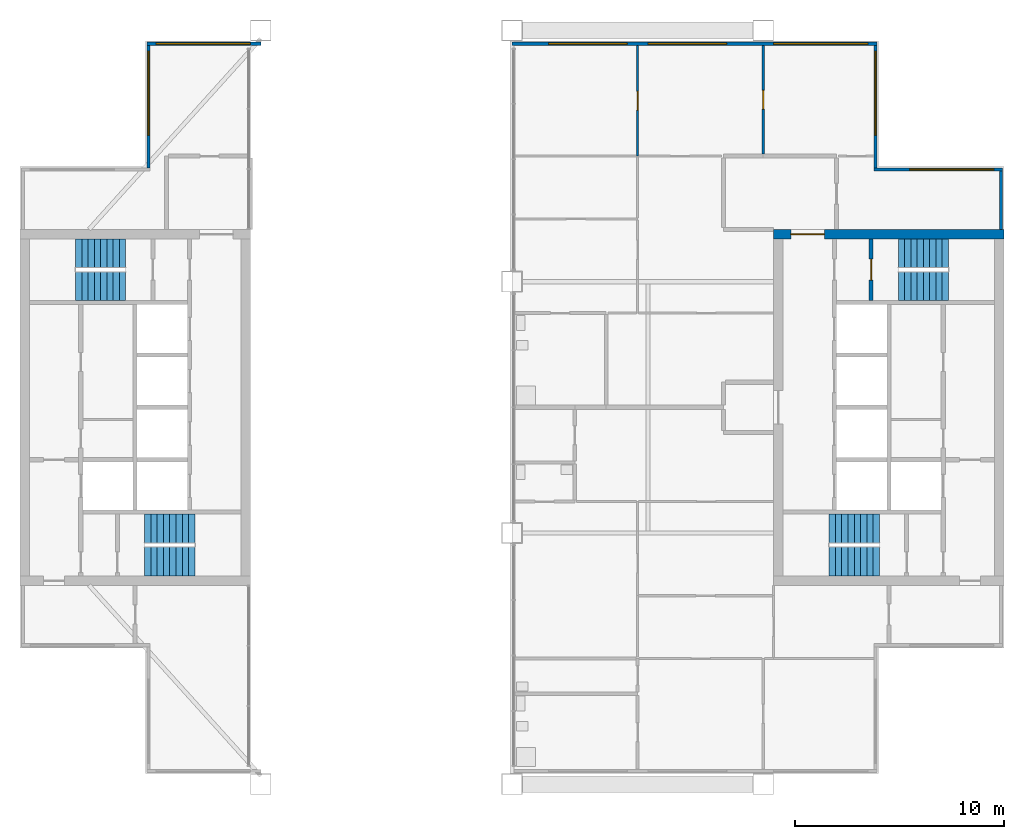
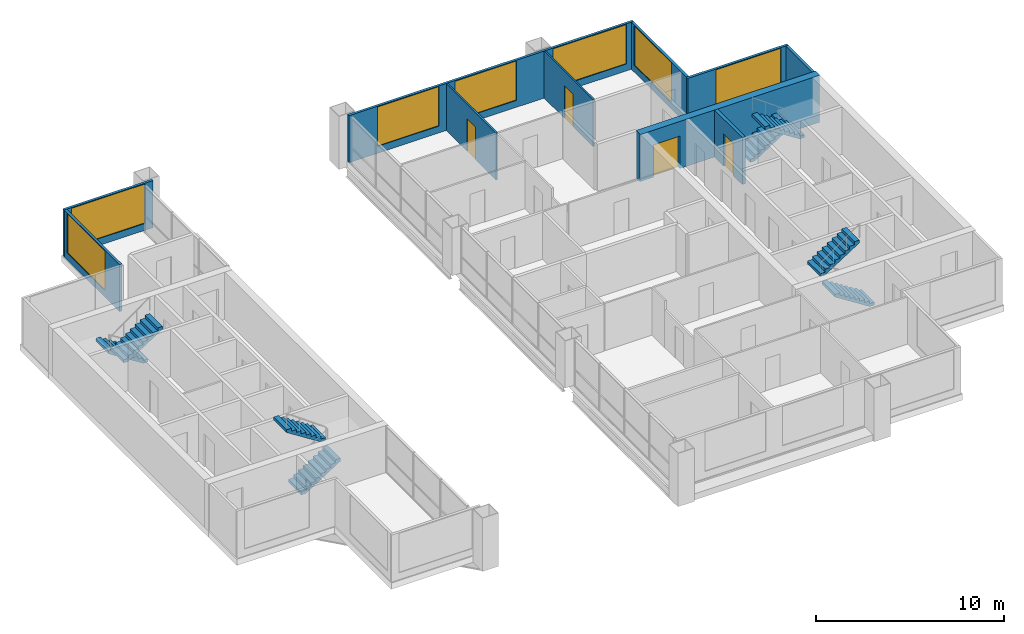
# One storey, part 10 of 12: 10 walls, 8 stair flights, 7 windows, 4 doors, 11 openings, 4 elements without a shape of their own.
"""IFC4 building model written with IfcOpenShell, lengths in metres."""

from ifc_helpers import new_model, si_unit, direction, frame, frame_2d, origin, place, context, subcontext, project, spatial, polyline, rectangle, outline, extrude, material, layer, layer_set, type_object, element, fill, aggregate, save


model = new_model("IFC4")

# Units and contexts
model_context = context("Model", 3, precision=1e-05, world=origin(), true_north=direction((0.0, 1.0)))
body_context = subcontext(model_context, "Body", "Model", "MODEL_VIEW")
ifc_project = project(units=[si_unit("LENGTHUNIT", "METRE"), si_unit("AREAUNIT", "SQUARE_METRE"), si_unit("VOLUMEUNIT", "CUBIC_METRE"), si_unit("PLANEANGLEUNIT", "RADIAN"), si_unit("MASSUNIT", "GRAM", prefix="KILO")], contexts=[model_context])

# Site, building, storey
site_placement = place(None, origin())
site = spatial("IfcSite", under=ifc_project, at=site_placement, CompositionType="ELEMENT")
building_placement = place(site_placement, origin())
building = spatial("IfcBuilding", under=site, at=building_placement, Name="Kitamizu Gate Tower and Museum", CompositionType="ELEMENT")
storey_placement = place(building_placement, frame((0.0, 0.0, 255.89990234375)))
storey = spatial("IfcBuildingStorey", under=building, at=storey_placement, Name="L69", CompositionType="ELEMENT", Elevation=255.89990234375)

# Wall, opening, door
ifc_material_1 = material(Name="Concrete Fc42", Category="concrete")
ifc_layer_1 = layer(ifc_material_1, 0.449951171875)
ifc_layer_set_1 = layer_set([ifc_layer_1], Name="Concrete Fc42")
wall_type_1 = type_object("IfcWallType", Name="Core wall 450 EI 90", PredefinedType="SHEAR", material=ifc_layer_set_1)
wall_1_placement = place(storey_placement, frame((59.5, 38.27490234375, 0.0), z_axis=(0.0, 0.0, 1.0), x_axis=(-1.0, 0.0, 0.0)))
wall_1 = element("IfcWall", 1, at=wall_1_placement, inside=storey, type_object=wall_type_1, Name="Core wall EN", PredefinedType="SHEAR", context=body_context, shape_type="SweptSolid", body=[
    extrude(rectangle(XDim=11.0, YDim=0.449951171875, at=frame_2d((5.5, 0.0))), origin(), (0.0, 0.0, 1.0), 3.050048828125),
])
opening_1_placement = place(wall_1_placement, frame((8.574951171875, 0.0, 0.0)))
opening_1 = element("IfcOpeningElement", 2, at=opening_1_placement, cuts=wall_1, Name="Opening L69-038", PredefinedType="OPENING", context=body_context, shape_type="SweptSolid", body=[
    extrude(rectangle(XDim=1.60009765625, YDim=2.10009765625, at=frame_2d((0.800048828125, 1.050048828125))), frame((0.0, 0.23486328125, 0.0), z_axis=(0.0, -1.0, 0.0), x_axis=(1.0, 0.0, 0.0)), (0.0, 0.0, 1.0), 0.469970703125),
])
ifc_material_2 = material(Name="Timber door set", Category="wood")
door_type_1 = type_object("IfcDoorType", Name="Entrance door 1600", OperationType="DOUBLE_DOOR_SINGLE_SWING", PredefinedType="DOOR", material=ifc_material_2)
door_1_placement = place(opening_1_placement, origin())
door_1 = element("IfcDoor", 3, at=door_1_placement, inside=storey, type_object=door_type_1, Name="Lobby door L69-038", OperationType="DOUBLE_DOOR_SINGLE_SWING", OverallHeight=2.10009765625, OverallWidth=1.60009765625, PredefinedType="DOOR", context=body_context, shape_type="SweptSolid", body=[
    extrude(rectangle(XDim=1.60009765625, YDim=2.10009765625, at=frame_2d((0.800048828125, 1.050048828125))), frame((0.0, 0.02490234375, 0.0), z_axis=(0.0, -1.0, 0.0), x_axis=(1.0, 0.0, 0.0)), (0.0, 0.0, 1.0), 0.050048828125),
])
fill(opening_1, door_1)

ifc_material_3 = material(Name="Gypsum board on galvanised stud")
ifc_layer_2 = layer(ifc_material_3, 0.10009765625)
ifc_layer_set_2 = layer_set([ifc_layer_2], Name="Gypsum board on galvanised stud")
wall_type_2 = type_object("IfcWallType", Name="Partition 100 NOT RATED", PredefinedType="PARTITIONING", material=ifc_layer_set_2)
wall_2_placement = place(storey_placement, frame((42.0, 42.0, 0.0), z_axis=(0.0, 0.0, 1.0), x_axis=(0.0, 1.0, 0.0)))
wall_2 = element("IfcWall", 4, at=wall_2_placement, inside=storey, type_object=wall_type_2, Name="Partition L69-031", PredefinedType="PARTITIONING", context=body_context, shape_type="SweptSolid", body=[
    extrude(rectangle(XDim=5.280029296875, YDim=0.10009765625, at=frame_2d((2.64013671875, 0.0))), origin(), (0.0, 0.0, 1.0), 3.050048828125),
])
opening_2_placement = place(wall_2_placement, frame((2.18994140625, 0.0, 0.0)))
opening_2 = element("IfcOpeningElement", 5, at=opening_2_placement, cuts=wall_2, Name="Opening L69-017", PredefinedType="OPENING", context=body_context, shape_type="SweptSolid", body=[
    extrude(rectangle(XDim=0.89990234375, YDim=2.10009765625, at=frame_2d((0.449951171875, 1.050048828125))), frame((0.0, 0.06005859375, 0.0), z_axis=(0.0, -1.0, 0.0), x_axis=(1.0, 0.0, 0.0)), (0.0, 0.0, 1.0), 0.1201171875),
])
ifc_material_4 = material(Name="Timber door set", Category="wood")
door_type_2 = type_object("IfcDoorType", Name="Room door 900", OperationType="NOTDEFINED", PredefinedType="DOOR", material=ifc_material_4)
door_2_placement = place(opening_2_placement, origin())
door_2 = element("IfcDoor", 6, at=door_2_placement, inside=storey, type_object=door_type_2, Name="Door L69-017", OperationType="SINGLE_SWING_RIGHT", OverallHeight=2.10009765625, OverallWidth=0.89990234375, PredefinedType="DOOR", context=body_context, shape_type="SweptSolid", body=[
    extrude(rectangle(XDim=0.89990234375, YDim=2.10009765625, at=frame_2d((0.449951171875, 1.050048828125))), frame((0.0, 0.02490234375, 0.0), z_axis=(0.0, -1.0, 0.0), x_axis=(1.0, 0.0, 0.0)), (0.0, 0.0, 1.0), 0.050048828125),
])
fill(opening_2, door_2)

wall_3_placement = place(storey_placement, frame((48.0, 42.10009765625, 0.0), z_axis=(0.0, 0.0, 1.0), x_axis=(0.0, 1.0, 0.0)))
wall_3 = element("IfcWall", 7, at=wall_3_placement, inside=storey, type_object=wall_type_2, Name="Partition L69-033", PredefinedType="PARTITIONING", context=body_context, shape_type="SweptSolid", body=[
    extrude(rectangle(XDim=5.179931640625, YDim=0.10009765625, at=frame_2d((2.58984375, 0.0))), origin(), (0.0, 0.0, 1.0), 3.050048828125),
])
opening_3_placement = place(wall_3_placement, frame((2.139892578125, 0.0, 0.0)))
opening_3 = element("IfcOpeningElement", 8, at=opening_3_placement, cuts=wall_3, Name="Opening L69-014", PredefinedType="OPENING", context=body_context, shape_type="SweptSolid", body=[
    extrude(rectangle(XDim=0.89990234375, YDim=2.10009765625, at=frame_2d((0.449951171875, 1.050048828125))), frame((0.0, 0.06005859375, 0.0), z_axis=(0.0, -1.0, 0.0), x_axis=(1.0, 0.0, 0.0)), (0.0, 0.0, 1.0), 0.1201171875),
])
door_3_placement = place(opening_3_placement, frame((0.89990234375, 0.0, 0.0), x_axis=(-1.0, 0.0, 0.0)))
door_3 = element("IfcDoor", 9, at=door_3_placement, inside=storey, type_object=door_type_2, Name="Door L69-014", OperationType="SINGLE_SWING_RIGHT", OverallHeight=2.10009765625, OverallWidth=0.89990234375, PredefinedType="DOOR", context=body_context, shape_type="SweptSolid", body=[
    extrude(rectangle(XDim=0.89990234375, YDim=2.10009765625, at=frame_2d((0.449951171875, 1.050048828125))), frame((0.0, 0.02490234375, 0.0), z_axis=(0.0, -1.0, 0.0), x_axis=(1.0, 0.0, 0.0)), (0.0, 0.0, 1.0), 0.050048828125),
])
fill(opening_3, door_3)

ifc_material_5 = material(Name="Concrete Fc42", Category="concrete")
ifc_layer_3 = layer(ifc_material_5, 0.199951171875)
ifc_layer_set_3 = layer_set([ifc_layer_3], Name="Concrete Fc42")
wall_type_3 = type_object("IfcWallType", Name="Shaft wall 200", PredefinedType="SOLIDWALL", material=ifc_layer_set_3)
wall_4_placement = place(storey_placement, frame((53.14990234375, 35.10009765625, 0.0), z_axis=(0.0, 0.0, 1.0), x_axis=(0.0, 1.0, 0.0)))
wall_4 = element("IfcWall", 10, at=wall_4_placement, inside=storey, type_object=wall_type_3, Name="Shaft wall ENZ", PredefinedType="SOLIDWALL", context=body_context, shape_type="SweptSolid", body=[
    extrude(rectangle(XDim=2.949951171875, YDim=0.199951171875, at=frame_2d((1.47509765625, 0.0))), origin(), (0.0, 0.0, 1.0), 3.050048828125),
])
opening_4_placement = place(wall_4_placement, frame((0.97509765625, 0.0, 0.0)))
opening_4 = element("IfcOpeningElement", 11, at=opening_4_placement, cuts=wall_4, Name="Opening L69-035", PredefinedType="OPENING", context=body_context, shape_type="SweptSolid", body=[
    extrude(rectangle(XDim=1.0, YDim=2.10009765625, at=frame_2d((0.5, 1.050048828125))), frame((0.0, 0.10986328125, 0.0), z_axis=(0.0, -1.0, 0.0), x_axis=(1.0, 0.0, 0.0)), (0.0, 0.0, 1.0), 0.219970703125),
])
ifc_material_6 = material(Name="Hollow metal door set")
door_type_3 = type_object("IfcDoorType", Name="Fire door 1000", OperationType="NOTDEFINED", PredefinedType="DOOR", material=ifc_material_6)
door_4_placement = place(opening_4_placement, frame((1.0, 0.0, 0.0), x_axis=(-1.0, 0.0, 0.0)))
door_4 = element("IfcDoor", 12, at=door_4_placement, inside=storey, type_object=door_type_3, Name="Stair door L69-035", OperationType="SINGLE_SWING_LEFT", OverallHeight=2.10009765625, OverallWidth=1.0, PredefinedType="DOOR", context=body_context, shape_type="SweptSolid", body=[
    extrude(rectangle(XDim=1.0, YDim=2.10009765625, at=frame_2d((0.5, 1.050048828125))), frame((0.0, 0.02490234375, 0.0), z_axis=(0.0, -1.0, 0.0), x_axis=(1.0, 0.0, 0.0)), (0.0, 0.0, 1.0), 0.050048828125),
])
fill(opening_4, door_4)

# Wall
ifc_material_7 = material(Name="Bronze anodised aluminium frame with insulated spandrel and tinted glass", Category="aluminium")
ifc_layer_4 = layer(ifc_material_7, 0.14990234375)
ifc_layer_set_4 = layer_set([ifc_layer_4], Name="Bronze anodised aluminium frame with insulated spandrel and tinted glass")
wall_type_4 = type_object("IfcWallType", Name="WINDOW WALL 150 BRONZE FRAME EI 30", PredefinedType="ELEMENTEDWALL", material=ifc_layer_set_4)
wall_5_placement = place(storey_placement, frame((59.364990234375, 38.5, 0.0), z_axis=(0.0, 0.0, 1.0), x_axis=(0.0, 1.0, 0.0)))
element("IfcWall", 13, at=wall_5_placement, inside=storey, type_object=wall_type_4, Name="Window wall east L69", PredefinedType="ELEMENTEDWALL", context=body_context, shape_type="SweptSolid", body=[
    extrude(rectangle(XDim=2.7900390625, YDim=0.14990234375, at=frame_2d((1.39501953125, 0.0))), origin(), (0.0, 0.0, 1.0), 3.050048828125),
])

# Wall, opening, window
wall_6_placement = place(storey_placement, frame((53.2900390625, 41.364990234375, 0.0), z_axis=(0.0, 0.0, 1.0), x_axis=(1.0, 0.0, 0.0)))
wall_6 = element("IfcWall", 14, at=wall_6_placement, inside=storey, type_object=wall_type_4, Name="Window wall north L69", PredefinedType="ELEMENTEDWALL", context=body_context, shape_type="SweptSolid", body=[
    extrude(rectangle(XDim=6.14990234375, YDim=0.14990234375, at=frame_2d((3.074951171875, 0.0))), origin(), (0.0, 0.0, 1.0), 3.050048828125),
])
opening_5_placement = place(wall_6_placement, frame((1.7099609375, 0.0, 0.449951171875)))
opening_5 = element("IfcOpeningElement", 15, at=opening_5_placement, cuts=wall_6, Name="Opening W16", PredefinedType="OPENING", context=body_context, shape_type="SweptSolid", body=[
    extrude(rectangle(XDim=4.0, YDim=2.550048828125, at=frame_2d((2.0, 1.27490234375))), frame((0.0, 0.0849609375, 0.0), z_axis=(0.0, -1.0, 0.0), x_axis=(1.0, 0.0, 0.0)), (0.0, 0.0, 1.0), 0.169921875),
])
ifc_material_8 = material(Name="Bronze anodised aluminium frame, tinted triple glazing", Category="aluminium")
window_type_1 = type_object("IfcWindowType", Name="WINDOW 4000 x 2550 SILL 450", PartitioningType="SINGLE_PANEL", PredefinedType="WINDOW", material=ifc_material_8)
window_1_placement = place(opening_5_placement, origin())
window_1 = element("IfcWindow", 16, at=window_1_placement, inside=storey, type_object=window_type_1, Name="Window W16 L69", OverallHeight=2.550048828125, OverallWidth=4.0, PartitioningType="SINGLE_PANEL", PredefinedType="WINDOW", context=body_context, shape_type="SweptSolid", body=[
    extrude(rectangle(XDim=4.0, YDim=2.550048828125, at=frame_2d((2.0, 1.27490234375))), frame((0.0, 0.030029296875, 0.0), z_axis=(0.0, -1.0, 0.0), x_axis=(1.0, 0.0, 0.0)), (0.0, 0.0, 1.0), 0.06005859375),
])
fill(opening_5, window_1)

wall_7_placement = place(storey_placement, frame((53.364990234375, 41.43994140625, 0.0), z_axis=(0.0, 0.0, 1.0), x_axis=(0.0, 1.0, 0.0)))
wall_7 = element("IfcWall", 17, at=wall_7_placement, inside=storey, type_object=wall_type_4, Name="Window wall east L69", PredefinedType="ELEMENTEDWALL", context=body_context, shape_type="SweptSolid", body=[
    extrude(rectangle(XDim=5.85009765625, YDim=0.14990234375, at=frame_2d((2.925048828125, 0.0))), origin(), (0.0, 0.0, 1.0), 3.050048828125),
])
opening_6_placement = place(wall_7_placement, frame((1.56005859375, 0.0, 0.449951171875)))
opening_6 = element("IfcOpeningElement", 18, at=opening_6_placement, cuts=wall_7, Name="Opening W16", PredefinedType="OPENING", context=body_context, shape_type="SweptSolid", body=[
    extrude(rectangle(XDim=4.0, YDim=2.550048828125, at=frame_2d((2.0, 1.27490234375))), frame((0.0, 0.0849609375, 0.0), z_axis=(0.0, -1.0, 0.0), x_axis=(1.0, 0.0, 0.0)), (0.0, 0.0, 1.0), 0.169921875),
])
window_2_placement = place(opening_6_placement, origin())
window_2 = element("IfcWindow", 19, at=window_2_placement, inside=storey, type_object=window_type_1, Name="Window W16 L69", OverallHeight=2.550048828125, OverallWidth=4.0, PartitioningType="SINGLE_PANEL", PredefinedType="WINDOW", context=body_context, shape_type="SweptSolid", body=[
    extrude(rectangle(XDim=4.0, YDim=2.550048828125, at=frame_2d((2.0, 1.27490234375))), frame((0.0, 0.030029296875, 0.0), z_axis=(0.0, -1.0, 0.0), x_axis=(1.0, 0.0, 0.0)), (0.0, 0.0, 1.0), 0.06005859375),
])
fill(opening_6, window_2)

wall_8_placement = place(storey_placement, frame((18.56005859375, 47.364990234375, 0.0), z_axis=(0.0, 0.0, 1.0), x_axis=(1.0, 0.0, 0.0)))
wall_8 = element("IfcWall", 20, at=wall_8_placement, inside=storey, type_object=wall_type_4, Name="Window wall north L69", PredefinedType="ELEMENTEDWALL", context=body_context, shape_type="SweptSolid", body=[
    extrude(rectangle(XDim=5.43994140625, YDim=0.14990234375, at=frame_2d((2.719970703125, 0.0))), origin(), (0.0, 0.0, 1.0), 3.050048828125),
])
opening_7_placement = place(wall_8_placement, frame((0.43994140625, 0.0, 0.449951171875)))
opening_7 = element("IfcOpeningElement", 21, at=opening_7_placement, cuts=wall_8, Name="Opening W15", PredefinedType="OPENING", context=body_context, shape_type="SweptSolid", body=[
    extrude(rectangle(XDim=4.5, YDim=2.550048828125, at=frame_2d((2.25, 1.27490234375))), frame((0.0, 0.0849609375, 0.0), z_axis=(0.0, -1.0, 0.0), x_axis=(1.0, 0.0, 0.0)), (0.0, 0.0, 1.0), 0.169921875),
])
ifc_material_9 = material(Name="Bronze anodised aluminium frame, tinted triple glazing", Category="aluminium")
window_type_2 = type_object("IfcWindowType", Name="WINDOW 4500 x 2550 SILL 450", PartitioningType="SINGLE_PANEL", PredefinedType="WINDOW", material=ifc_material_9)
window_3_placement = place(opening_7_placement, origin())
window_3 = element("IfcWindow", 22, at=window_3_placement, inside=storey, type_object=window_type_2, Name="Window W15 L69", OverallHeight=2.550048828125, OverallWidth=4.5, PartitioningType="SINGLE_PANEL", PredefinedType="WINDOW", context=body_context, shape_type="SweptSolid", body=[
    extrude(rectangle(XDim=4.5, YDim=2.550048828125, at=frame_2d((2.25, 1.27490234375))), frame((0.0, 0.030029296875, 0.0), z_axis=(0.0, -1.0, 0.0), x_axis=(1.0, 0.0, 0.0)), (0.0, 0.0, 1.0), 0.06005859375),
])
fill(opening_7, window_3)

# Wall, openings, windows
wall_9_placement = place(storey_placement, frame((36.0, 47.364990234375, 0.0), z_axis=(0.0, 0.0, 1.0), x_axis=(1.0, 0.0, 0.0)))
wall_9 = element("IfcWall", 23, at=wall_9_placement, inside=storey, type_object=wall_type_4, Name="Window wall north L69", PredefinedType="ELEMENTEDWALL", context=body_context, shape_type="SweptSolid", body=[
    extrude(rectangle(XDim=17.43994140625, YDim=0.14990234375, at=frame_2d((8.719970703125, 0.0))), origin(), (0.0, 0.0, 1.0), 3.050048828125),
])
opening_8_placement = place(wall_9_placement, frame((1.75, 0.0, 0.449951171875)))
opening_8 = element("IfcOpeningElement", 24, at=opening_8_placement, cuts=wall_9, Name="Opening W36", PredefinedType="OPENING", context=body_context, shape_type="SweptSolid", body=[
    extrude(rectangle(XDim=3.75, YDim=2.550048828125, at=frame_2d((1.875, 1.27490234375))), frame((0.0, 0.0849609375, 0.0), z_axis=(0.0, -1.0, 0.0), x_axis=(1.0, 0.0, 0.0)), (0.0, 0.0, 1.0), 0.169921875),
])
opening_9_placement = place(wall_9_placement, frame((6.5, 0.0, 0.449951171875)))
opening_9 = element("IfcOpeningElement", 25, at=opening_9_placement, cuts=wall_9, Name="Opening W36", PredefinedType="OPENING", context=body_context, shape_type="SweptSolid", body=[
    extrude(rectangle(XDim=3.75, YDim=2.550048828125, at=frame_2d((1.875, 1.27490234375))), frame((0.0, 0.0849609375, 0.0), z_axis=(0.0, -1.0, 0.0), x_axis=(1.0, 0.0, 0.0)), (0.0, 0.0, 1.0), 0.169921875),
])
opening_10_placement = place(wall_9_placement, frame((12.5, 0.0, 0.449951171875)))
opening_10 = element("IfcOpeningElement", 26, at=opening_10_placement, cuts=wall_9, Name="Opening W15", PredefinedType="OPENING", context=body_context, shape_type="SweptSolid", body=[
    extrude(rectangle(XDim=4.5, YDim=2.550048828125, at=frame_2d((2.25, 1.27490234375))), frame((0.0, 0.0849609375, 0.0), z_axis=(0.0, -1.0, 0.0), x_axis=(1.0, 0.0, 0.0)), (0.0, 0.0, 1.0), 0.169921875),
])
ifc_material_10 = material(Name="Bronze anodised aluminium frame, tinted triple glazing", Category="aluminium")
window_type_3 = type_object("IfcWindowType", Name="WINDOW 3750 x 2550 SILL 450", PartitioningType="SINGLE_PANEL", PredefinedType="WINDOW", material=ifc_material_10)
window_4_placement = place(opening_8_placement, origin())
window_4 = element("IfcWindow", 27, at=window_4_placement, inside=storey, type_object=window_type_3, Name="Window W36 L69", OverallHeight=2.550048828125, OverallWidth=3.75, PartitioningType="SINGLE_PANEL", PredefinedType="WINDOW", context=body_context, shape_type="SweptSolid", body=[
    extrude(rectangle(XDim=3.75, YDim=2.550048828125, at=frame_2d((1.875, 1.27490234375))), frame((0.0, 0.030029296875, 0.0), z_axis=(0.0, -1.0, 0.0), x_axis=(1.0, 0.0, 0.0)), (0.0, 0.0, 1.0), 0.06005859375),
])
fill(opening_8, window_4)
window_5_placement = place(opening_9_placement, origin())
window_5 = element("IfcWindow", 28, at=window_5_placement, inside=storey, type_object=window_type_3, Name="Window W36 L69", OverallHeight=2.550048828125, OverallWidth=3.75, PartitioningType="SINGLE_PANEL", PredefinedType="WINDOW", context=body_context, shape_type="SweptSolid", body=[
    extrude(rectangle(XDim=3.75, YDim=2.550048828125, at=frame_2d((1.875, 1.27490234375))), frame((0.0, 0.030029296875, 0.0), z_axis=(0.0, -1.0, 0.0), x_axis=(1.0, 0.0, 0.0)), (0.0, 0.0, 1.0), 0.06005859375),
])
fill(opening_9, window_5)
window_6_placement = place(opening_10_placement, origin())
window_6 = element("IfcWindow", 29, at=window_6_placement, inside=storey, type_object=window_type_2, Name="Window W15 L69", OverallHeight=2.550048828125, OverallWidth=4.5, PartitioningType="SINGLE_PANEL", PredefinedType="WINDOW", context=body_context, shape_type="SweptSolid", body=[
    extrude(rectangle(XDim=4.5, YDim=2.550048828125, at=frame_2d((2.25, 1.27490234375))), frame((0.0, 0.030029296875, 0.0), z_axis=(0.0, -1.0, 0.0), x_axis=(1.0, 0.0, 0.0)), (0.0, 0.0, 1.0), 0.06005859375),
])
fill(opening_10, window_6)

# Wall, opening, window
wall_10_placement = place(storey_placement, frame((18.635009765625, 41.43994140625, 0.0), z_axis=(0.0, 0.0, 1.0), x_axis=(0.0, 1.0, 0.0)))
wall_10 = element("IfcWall", 30, at=wall_10_placement, inside=storey, type_object=wall_type_4, Name="Window wall west L69", PredefinedType="ELEMENTEDWALL", context=body_context, shape_type="SweptSolid", body=[
    extrude(rectangle(XDim=5.85009765625, YDim=0.14990234375, at=frame_2d((2.925048828125, 0.0))), origin(), (0.0, 0.0, 1.0), 3.050048828125),
])
opening_11_placement = place(wall_10_placement, frame((1.56005859375, 0.0, 0.449951171875)))
opening_11 = element("IfcOpeningElement", 31, at=opening_11_placement, cuts=wall_10, Name="Opening W16", PredefinedType="OPENING", context=body_context, shape_type="SweptSolid", body=[
    extrude(rectangle(XDim=4.0, YDim=2.550048828125, at=frame_2d((2.0, 1.27490234375))), frame((0.0, 0.0849609375, 0.0), z_axis=(0.0, -1.0, 0.0), x_axis=(1.0, 0.0, 0.0)), (0.0, 0.0, 1.0), 0.169921875),
])
window_7_placement = place(opening_11_placement, origin())
window_7 = element("IfcWindow", 32, at=window_7_placement, inside=storey, type_object=window_type_1, Name="Window W16 L69", OverallHeight=2.550048828125, OverallWidth=4.0, PartitioningType="SINGLE_PANEL", PredefinedType="WINDOW", context=body_context, shape_type="SweptSolid", body=[
    extrude(rectangle(XDim=4.0, YDim=2.550048828125, at=frame_2d((2.0, 1.27490234375))), frame((0.0, 0.030029296875, 0.0), z_axis=(0.0, -1.0, 0.0), x_axis=(1.0, 0.0, 0.0)), (0.0, 0.0, 1.0), 0.06005859375),
])
fill(opening_11, window_7)

# Stair, stair flights
ifc_material_11 = material(Name="Concrete Fc42", Category="concrete")
stair_type = type_object("IfcStairType", Name="Exit stair 1375 wide 192 rise 300 going", PredefinedType="HALF_TURN_STAIR", material=ifc_material_11)
stair_1_placement = place(storey_placement, origin())
stair_1 = element("IfcStair", 33, at=stair_1_placement, inside=storey, type_object=stair_type, Name="Exit stair ST1", PredefinedType="HALF_TURN_STAIR")
ifc_material_12 = material(Name="Concrete Fc42", Category="concrete")
stair_flight_type = type_object("IfcStairFlightType", Name="Stair flight 1375 wide 192 rise 300 going", PredefinedType="STRAIGHT", material=ifc_material_12)
stair_flight_1_placement = place(storey_placement, frame((18.449951171875, 22.637451171875, 0.0), z_axis=(0.0, 0.0, 1.0), x_axis=(1.0, 0.0, 0.0)))
stair_flight_1 = element("IfcStairFlight", 34, at=stair_flight_1_placement, type_object=stair_flight_type, Name="ST1 flight 1", NumberOfRisers=9, NumberOfTreads=8, PredefinedType="STRAIGHT", RiserHeight=0.191666667, TreadLength=0.3, context=body_context, shape_type="SweptSolid", body=[
    extrude(outline(polyline([(0.0, 0.0), (0.0, 0.191650390625), (0.300048828125, 0.191650390625), (0.300048828125, 0.38330078125), (0.60009765625, 0.38330078125), (0.60009765625, 0.574951171875), (0.89990234375, 0.574951171875), (0.89990234375, 0.7666015625), (1.199951171875, 0.7666015625), (1.199951171875, 0.958251953125), (1.5, 0.958251953125), (1.5, 1.14990234375), (1.800048828125, 1.14990234375), (1.800048828125, 1.341552734375), (2.10009765625, 1.341552734375), (2.10009765625, 1.533447265625), (2.39990234375, 1.533447265625), (2.39990234375, 1.72509765625), (2.39990234375, 1.35546875), (0.2783203125, 0.0), (0.0, 0.0)])), frame((0.0, 0.6875, 0.0), z_axis=(0.0, -1.0, 0.0), x_axis=(1.0, 0.0, 0.0)), (0.0, 0.0, 1.0), 1.375),
])
stair_flight_2_placement = place(storey_placement, frame((20.85009765625, 24.21240234375, 1.72509765625), z_axis=(0.0, 0.0, 1.0), x_axis=(-1.0, 0.0, 0.0)))
stair_flight_2 = element("IfcStairFlight", 35, at=stair_flight_2_placement, type_object=stair_flight_type, Name="ST1 flight 2", NumberOfRisers=9, NumberOfTreads=8, PredefinedType="STRAIGHT", RiserHeight=0.191666667, TreadLength=0.3, context=body_context, shape_type="SweptSolid", body=[
    extrude(outline(polyline([(0.0, 0.0), (0.0, 0.191650390625), (0.300048828125, 0.191650390625), (0.300048828125, 0.38330078125), (0.60009765625, 0.38330078125), (0.60009765625, 0.574951171875), (0.89990234375, 0.574951171875), (0.89990234375, 0.7666015625), (1.199951171875, 0.7666015625), (1.199951171875, 0.958251953125), (1.5, 0.958251953125), (1.5, 1.14990234375), (1.800048828125, 1.14990234375), (1.800048828125, 1.341552734375), (2.10009765625, 1.341552734375), (2.10009765625, 1.533447265625), (2.39990234375, 1.533447265625), (2.39990234375, 1.72509765625), (2.39990234375, 1.35546875), (0.2783203125, 0.0), (0.0, 0.0)])), frame((0.0, 0.6875, 0.0), z_axis=(0.0, -1.0, 0.0), x_axis=(1.0, 0.0, 0.0)), (0.0, 0.0, 1.0), 1.375),
])
aggregate(stair_1, [stair_flight_1, stair_flight_2])

stair_2_placement = place(storey_placement, origin())
stair_2 = element("IfcStair", 36, at=stair_2_placement, inside=storey, type_object=stair_type, Name="Exit stair ST2", PredefinedType="HALF_TURN_STAIR")
stair_flight_3_placement = place(storey_placement, frame((17.550048828125, 37.362548828125, 0.0), z_axis=(0.0, 0.0, 1.0), x_axis=(-1.0, 0.0, 0.0)))
stair_flight_3 = element("IfcStairFlight", 37, at=stair_flight_3_placement, type_object=stair_flight_type, Name="ST2 flight 1", NumberOfRisers=9, NumberOfTreads=8, PredefinedType="STRAIGHT", RiserHeight=0.191666667, TreadLength=0.3, context=body_context, shape_type="SweptSolid", body=[
    extrude(outline(polyline([(0.0, 0.0), (0.0, 0.191650390625), (0.300048828125, 0.191650390625), (0.300048828125, 0.38330078125), (0.60009765625, 0.38330078125), (0.60009765625, 0.574951171875), (0.89990234375, 0.574951171875), (0.89990234375, 0.7666015625), (1.199951171875, 0.7666015625), (1.199951171875, 0.958251953125), (1.5, 0.958251953125), (1.5, 1.14990234375), (1.800048828125, 1.14990234375), (1.800048828125, 1.341552734375), (2.10009765625, 1.341552734375), (2.10009765625, 1.533447265625), (2.39990234375, 1.533447265625), (2.39990234375, 1.72509765625), (2.39990234375, 1.35546875), (0.2783203125, 0.0), (0.0, 0.0)])), frame((0.0, 0.6875, 0.0), z_axis=(0.0, -1.0, 0.0), x_axis=(1.0, 0.0, 0.0)), (0.0, 0.0, 1.0), 1.375),
])
stair_flight_4_placement = place(storey_placement, frame((15.14990234375, 35.78759765625, 1.72509765625), z_axis=(0.0, 0.0, 1.0), x_axis=(1.0, 0.0, 0.0)))
stair_flight_4 = element("IfcStairFlight", 38, at=stair_flight_4_placement, type_object=stair_flight_type, Name="ST2 flight 2", NumberOfRisers=9, NumberOfTreads=8, PredefinedType="STRAIGHT", RiserHeight=0.191666667, TreadLength=0.3, context=body_context, shape_type="SweptSolid", body=[
    extrude(outline(polyline([(0.0, 0.0), (0.0, 0.191650390625), (0.300048828125, 0.191650390625), (0.300048828125, 0.38330078125), (0.60009765625, 0.38330078125), (0.60009765625, 0.574951171875), (0.89990234375, 0.574951171875), (0.89990234375, 0.7666015625), (1.199951171875, 0.7666015625), (1.199951171875, 0.958251953125), (1.5, 0.958251953125), (1.5, 1.14990234375), (1.800048828125, 1.14990234375), (1.800048828125, 1.341552734375), (2.10009765625, 1.341552734375), (2.10009765625, 1.533447265625), (2.39990234375, 1.533447265625), (2.39990234375, 1.72509765625), (2.39990234375, 1.35546875), (0.2783203125, 0.0), (0.0, 0.0)])), frame((0.0, 0.6875, 0.0), z_axis=(0.0, -1.0, 0.0), x_axis=(1.0, 0.0, 0.0)), (0.0, 0.0, 1.0), 1.375),
])
aggregate(stair_2, [stair_flight_3, stair_flight_4])

stair_3_placement = place(storey_placement, origin())
stair_3 = element("IfcStair", 39, at=stair_3_placement, inside=storey, type_object=stair_type, Name="Exit stair ST3", PredefinedType="HALF_TURN_STAIR")
stair_flight_5_placement = place(storey_placement, frame((53.550048828125, 22.637451171875, 0.0), z_axis=(0.0, 0.0, 1.0), x_axis=(-1.0, 0.0, 0.0)))
stair_flight_5 = element("IfcStairFlight", 40, at=stair_flight_5_placement, type_object=stair_flight_type, Name="ST3 flight 1", NumberOfRisers=9, NumberOfTreads=8, PredefinedType="STRAIGHT", RiserHeight=0.191666667, TreadLength=0.3, context=body_context, shape_type="SweptSolid", body=[
    extrude(outline(polyline([(0.0, 0.0), (0.0, 0.191650390625), (0.300048828125, 0.191650390625), (0.300048828125, 0.38330078125), (0.60009765625, 0.38330078125), (0.60009765625, 0.574951171875), (0.89990234375, 0.574951171875), (0.89990234375, 0.7666015625), (1.199951171875, 0.7666015625), (1.199951171875, 0.958251953125), (1.5, 0.958251953125), (1.5, 1.14990234375), (1.800048828125, 1.14990234375), (1.800048828125, 1.341552734375), (2.10009765625, 1.341552734375), (2.10009765625, 1.533447265625), (2.39990234375, 1.533447265625), (2.39990234375, 1.72509765625), (2.39990234375, 1.35546875), (0.2783203125, 0.0), (0.0, 0.0)])), frame((0.0, 0.6875, 0.0), z_axis=(0.0, -1.0, 0.0), x_axis=(1.0, 0.0, 0.0)), (0.0, 0.0, 1.0), 1.375),
])
stair_flight_6_placement = place(storey_placement, frame((51.14990234375, 24.21240234375, 1.72509765625), z_axis=(0.0, 0.0, 1.0), x_axis=(1.0, 0.0, 0.0)))
stair_flight_6 = element("IfcStairFlight", 41, at=stair_flight_6_placement, type_object=stair_flight_type, Name="ST3 flight 2", NumberOfRisers=9, NumberOfTreads=8, PredefinedType="STRAIGHT", RiserHeight=0.191666667, TreadLength=0.3, context=body_context, shape_type="SweptSolid", body=[
    extrude(outline(polyline([(0.0, 0.0), (0.0, 0.191650390625), (0.300048828125, 0.191650390625), (0.300048828125, 0.38330078125), (0.60009765625, 0.38330078125), (0.60009765625, 0.574951171875), (0.89990234375, 0.574951171875), (0.89990234375, 0.7666015625), (1.199951171875, 0.7666015625), (1.199951171875, 0.958251953125), (1.5, 0.958251953125), (1.5, 1.14990234375), (1.800048828125, 1.14990234375), (1.800048828125, 1.341552734375), (2.10009765625, 1.341552734375), (2.10009765625, 1.533447265625), (2.39990234375, 1.533447265625), (2.39990234375, 1.72509765625), (2.39990234375, 1.35546875), (0.2783203125, 0.0), (0.0, 0.0)])), frame((0.0, 0.6875, 0.0), z_axis=(0.0, -1.0, 0.0), x_axis=(1.0, 0.0, 0.0)), (0.0, 0.0, 1.0), 1.375),
])
aggregate(stair_3, [stair_flight_5, stair_flight_6])

stair_4_placement = place(storey_placement, origin())
stair_4 = element("IfcStair", 42, at=stair_4_placement, inside=storey, type_object=stair_type, Name="Exit stair ST4", PredefinedType="HALF_TURN_STAIR")
stair_flight_7_placement = place(storey_placement, frame((54.449951171875, 37.362548828125, 0.0), z_axis=(0.0, 0.0, 1.0), x_axis=(1.0, 0.0, 0.0)))
stair_flight_7 = element("IfcStairFlight", 43, at=stair_flight_7_placement, type_object=stair_flight_type, Name="ST4 flight 1", NumberOfRisers=9, NumberOfTreads=8, PredefinedType="STRAIGHT", RiserHeight=0.191666667, TreadLength=0.3, context=body_context, shape_type="SweptSolid", body=[
    extrude(outline(polyline([(0.0, 0.0), (0.0, 0.191650390625), (0.300048828125, 0.191650390625), (0.300048828125, 0.38330078125), (0.60009765625, 0.38330078125), (0.60009765625, 0.574951171875), (0.89990234375, 0.574951171875), (0.89990234375, 0.7666015625), (1.199951171875, 0.7666015625), (1.199951171875, 0.958251953125), (1.5, 0.958251953125), (1.5, 1.14990234375), (1.800048828125, 1.14990234375), (1.800048828125, 1.341552734375), (2.10009765625, 1.341552734375), (2.10009765625, 1.533447265625), (2.39990234375, 1.533447265625), (2.39990234375, 1.72509765625), (2.39990234375, 1.35546875), (0.2783203125, 0.0), (0.0, 0.0)])), frame((0.0, 0.6875, 0.0), z_axis=(0.0, -1.0, 0.0), x_axis=(1.0, 0.0, 0.0)), (0.0, 0.0, 1.0), 1.375),
])
stair_flight_8_placement = place(storey_placement, frame((56.85009765625, 35.78759765625, 1.72509765625), z_axis=(0.0, 0.0, 1.0), x_axis=(-1.0, 0.0, 0.0)))
stair_flight_8 = element("IfcStairFlight", 44, at=stair_flight_8_placement, type_object=stair_flight_type, Name="ST4 flight 2", NumberOfRisers=9, NumberOfTreads=8, PredefinedType="STRAIGHT", RiserHeight=0.191666667, TreadLength=0.3, context=body_context, shape_type="SweptSolid", body=[
    extrude(outline(polyline([(0.0, 0.0), (0.0, 0.191650390625), (0.300048828125, 0.191650390625), (0.300048828125, 0.38330078125), (0.60009765625, 0.38330078125), (0.60009765625, 0.574951171875), (0.89990234375, 0.574951171875), (0.89990234375, 0.7666015625), (1.199951171875, 0.7666015625), (1.199951171875, 0.958251953125), (1.5, 0.958251953125), (1.5, 1.14990234375), (1.800048828125, 1.14990234375), (1.800048828125, 1.341552734375), (2.10009765625, 1.341552734375), (2.10009765625, 1.533447265625), (2.39990234375, 1.533447265625), (2.39990234375, 1.72509765625), (2.39990234375, 1.35546875), (0.2783203125, 0.0), (0.0, 0.0)])), frame((0.0, 0.6875, 0.0), z_axis=(0.0, -1.0, 0.0), x_axis=(1.0, 0.0, 0.0)), (0.0, 0.0, 1.0), 1.375),
])
aggregate(stair_4, [stair_flight_7, stair_flight_8])

save(model, "model.ifc")
